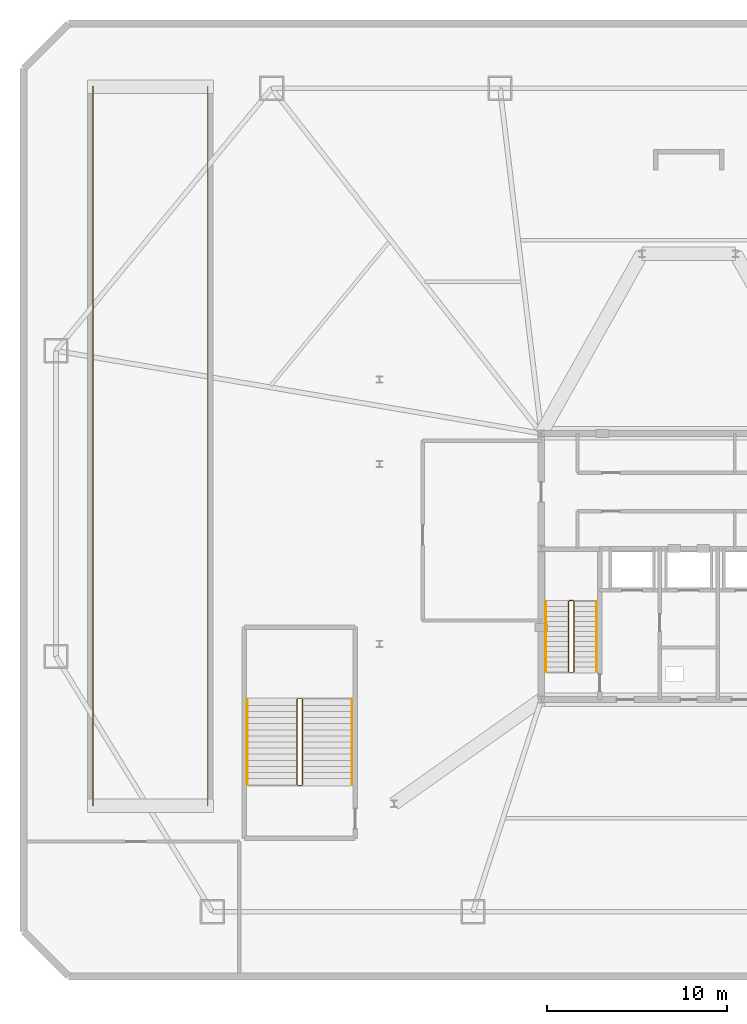
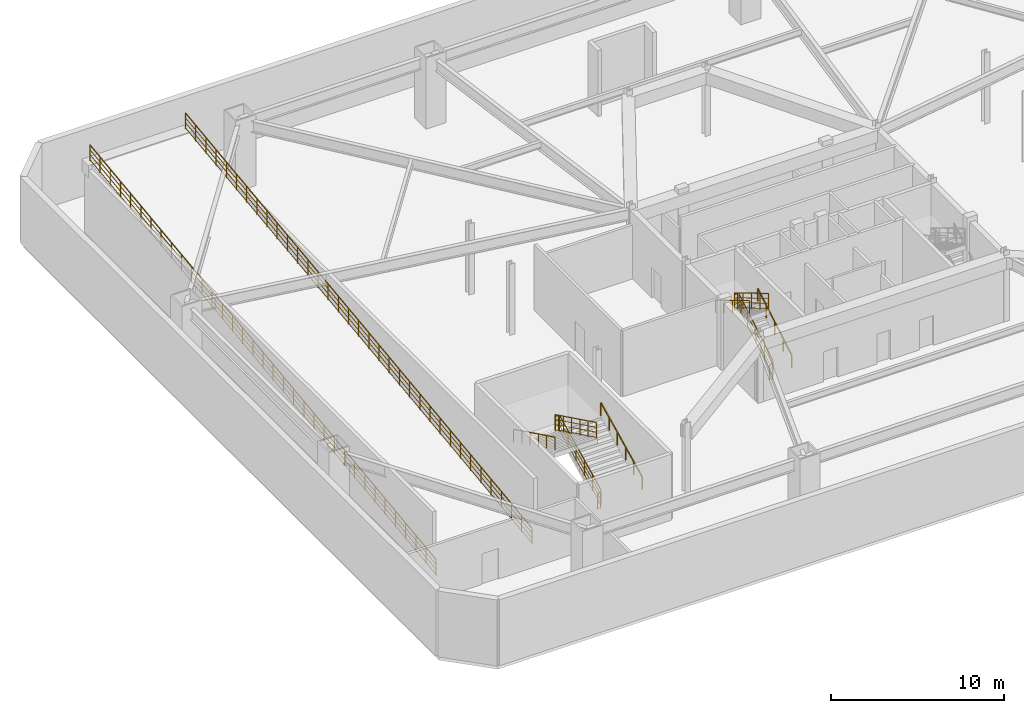
# One storey, part 8 of 9: 14 railings.
"""IFC4 building model written with IfcOpenShell, lengths in metres."""

from ifc_helpers import new_model, si_unit, direction, frame, origin, origin_2d, place, context, subcontext, project, spatial, rectangle, extrude, material, type_object, element, save


model = new_model("IFC4")

# Units and contexts
model_context = context("Model", 3, precision=1e-05, world=origin(), true_north=direction((0.0, 1.0)))
body_context = subcontext(model_context, "Body", "Model", "MODEL_VIEW")
ifc_project = project(units=[si_unit("LENGTHUNIT", "METRE"), si_unit("AREAUNIT", "SQUARE_METRE"), si_unit("VOLUMEUNIT", "CUBIC_METRE"), si_unit("PLANEANGLEUNIT", "RADIAN"), si_unit("MASSUNIT", "GRAM", prefix="KILO")], contexts=[model_context])

# Site, building, storey
site_placement = place(None, origin())
site = spatial("IfcSite", under=ifc_project, at=site_placement, CompositionType="ELEMENT")
building_placement = place(site_placement, origin())
building = spatial("IfcBuilding", under=site, at=building_placement, Name="Varakhsha Concourse Tower", CompositionType="ELEMENT")
storey_placement = place(building_placement, frame((0.0, 0.0, -5.0)))
storey = spatial("IfcBuildingStorey", under=building, at=storey_placement, Name="B01", CompositionType="ELEMENT", Elevation=-5.0)

# Railings
ifc_material = material(Name="Brushed Austenitic Stainless Steel AISI 316", Category="steel")
railing_type_1 = type_object("IfcRailingType", Name="RL-INT-GUARD-1120", PredefinedType="GUARDRAIL", material=ifc_material)
railing_1_placement = place(storey_placement, frame((6.860107421875, 10.5, 0.0)))
element("IfcRailing", 1, at=railing_1_placement, inside=storey, type_object=railing_type_1, Name="B01 Vehicle Ramp Curb Guard W", PredefinedType="GUARDRAIL", context=body_context, shape_type="SweptSolid", body=[
    extrude(rectangle(XDim=0.048095703125, YDim=0.048095703125, at=origin_2d()), frame((0.0, 0.0, 1.1259765625), z_axis=(0.0, 0.992277876714, 0.124034734589), x_axis=(-1.0, 0.0, 0.0)), (0.0, 0.0, 1.0), 40.311279296875),
    extrude(rectangle(XDim=0.028076171875, YDim=0.028076171875, at=origin_2d()), frame((0.0, 0.0, 0.080078125), z_axis=(0.0, 0.992277876714, 0.124034734589), x_axis=(-1.0, 0.0, 0.0)), (0.0, 0.0, 1.0), 40.311279296875),
    extrude(rectangle(XDim=0.028076171875, YDim=0.028076171875, at=origin_2d()), frame((0.0, 0.0, 0.43701171875), z_axis=(0.0, 0.992277876714, 0.124034734589), x_axis=(-1.0, 0.0, 0.0)), (0.0, 0.0, 1.0), 40.311279296875),
    extrude(rectangle(XDim=0.028076171875, YDim=0.028076171875, at=origin_2d()), frame((0.0, 0.0, 0.781982421875), z_axis=(0.0, 0.992277876714, 0.124034734589), x_axis=(-1.0, 0.0, 0.0)), (0.0, 0.0, 1.0), 40.311279296875),
    extrude(rectangle(XDim=0.0419921875, YDim=0.0419921875, at=origin_2d()), origin(), (0.0, 0.0, 1.0), 1.101806640625),
    extrude(rectangle(XDim=0.0419921875, YDim=0.0419921875, at=origin_2d()), frame((0.0, 1.176513671875, 0.14697265625)), (0.0, 0.0, 1.0), 1.101806640625),
    extrude(rectangle(XDim=0.0419921875, YDim=0.0419921875, at=origin_2d()), frame((0.0, 2.35302734375, 0.294189453125)), (0.0, 0.0, 1.0), 1.101806640625),
    extrude(rectangle(XDim=0.0419921875, YDim=0.0419921875, at=origin_2d()), frame((0.0, 3.529296875, 0.441162109375)), (0.0, 0.0, 1.0), 1.101806640625),
    extrude(rectangle(XDim=0.0419921875, YDim=0.0419921875, at=origin_2d()), frame((0.0, 4.705810546875, 0.588134765625)), (0.0, 0.0, 1.0), 1.101806640625),
    extrude(rectangle(XDim=0.0419921875, YDim=0.0419921875, at=origin_2d()), frame((0.0, 5.88232421875, 0.7353515625)), (0.0, 0.0, 1.0), 1.101806640625),
    extrude(rectangle(XDim=0.0419921875, YDim=0.0419921875, at=origin_2d()), frame((0.0, 7.058837890625, 0.88232421875)), (0.0, 0.0, 1.0), 1.101806640625),
    extrude(rectangle(XDim=0.0419921875, YDim=0.0419921875, at=origin_2d()), frame((0.0, 8.2353515625, 1.029296875)), (0.0, 0.0, 1.0), 1.101806640625),
    extrude(rectangle(XDim=0.0419921875, YDim=0.0419921875, at=origin_2d()), frame((0.0, 9.411865234375, 1.176513671875)), (0.0, 0.0, 1.0), 1.101806640625),
    extrude(rectangle(XDim=0.0419921875, YDim=0.0419921875, at=origin_2d()), frame((0.0, 10.588134765625, 1.323486328125)), (0.0, 0.0, 1.0), 1.101806640625),
    extrude(rectangle(XDim=0.0419921875, YDim=0.0419921875, at=origin_2d()), frame((0.0, 11.7646484375, 1.470703125)), (0.0, 0.0, 1.0), 1.101806640625),
    extrude(rectangle(XDim=0.0419921875, YDim=0.0419921875, at=origin_2d()), frame((0.0, 12.941162109375, 1.61767578125)), (0.0, 0.0, 1.0), 1.101806640625),
    extrude(rectangle(XDim=0.0419921875, YDim=0.0419921875, at=origin_2d()), frame((0.0, 14.11767578125, 1.7646484375)), (0.0, 0.0, 1.0), 1.101806640625),
    extrude(rectangle(XDim=0.0419921875, YDim=0.0419921875, at=origin_2d()), frame((0.0, 15.294189453125, 1.911865234375)), (0.0, 0.0, 1.0), 1.101806640625),
    extrude(rectangle(XDim=0.0419921875, YDim=0.0419921875, at=origin_2d()), frame((0.0, 16.470703125, 2.058837890625)), (0.0, 0.0, 1.0), 1.101806640625),
    extrude(rectangle(XDim=0.0419921875, YDim=0.0419921875, at=origin_2d()), frame((0.0, 17.64697265625, 2.205810546875)), (0.0, 0.0, 1.0), 1.101806640625),
    extrude(rectangle(XDim=0.0419921875, YDim=0.0419921875, at=origin_2d()), frame((0.0, 18.823486328125, 2.35302734375)), (0.0, 0.0, 1.0), 1.101806640625),
    extrude(rectangle(XDim=0.0419921875, YDim=0.0419921875, at=origin_2d()), frame((0.0, 20.0, 2.5)), (0.0, 0.0, 1.0), 1.101806640625),
    extrude(rectangle(XDim=0.0419921875, YDim=0.0419921875, at=origin_2d()), frame((0.0, 21.176513671875, 2.64697265625)), (0.0, 0.0, 1.0), 1.101806640625),
    extrude(rectangle(XDim=0.0419921875, YDim=0.0419921875, at=origin_2d()), frame((0.0, 22.35302734375, 2.794189453125)), (0.0, 0.0, 1.0), 1.101806640625),
    extrude(rectangle(XDim=0.0419921875, YDim=0.0419921875, at=origin_2d()), frame((0.0, 23.529296875, 2.941162109375)), (0.0, 0.0, 1.0), 1.101806640625),
    extrude(rectangle(XDim=0.0419921875, YDim=0.0419921875, at=origin_2d()), frame((0.0, 24.705810546875, 3.088134765625)), (0.0, 0.0, 1.0), 1.101806640625),
    extrude(rectangle(XDim=0.0419921875, YDim=0.0419921875, at=origin_2d()), frame((0.0, 25.88232421875, 3.2353515625)), (0.0, 0.0, 1.0), 1.101806640625),
    extrude(rectangle(XDim=0.0419921875, YDim=0.0419921875, at=origin_2d()), frame((0.0, 27.058837890625, 3.38232421875)), (0.0, 0.0, 1.0), 1.101806640625),
    extrude(rectangle(XDim=0.0419921875, YDim=0.0419921875, at=origin_2d()), frame((0.0, 28.2353515625, 3.529296875)), (0.0, 0.0, 1.0), 1.101806640625),
    extrude(rectangle(XDim=0.0419921875, YDim=0.0419921875, at=origin_2d()), frame((0.0, 29.411865234375, 3.676513671875)), (0.0, 0.0, 1.0), 1.101806640625),
    extrude(rectangle(XDim=0.0419921875, YDim=0.0419921875, at=origin_2d()), frame((0.0, 30.588134765625, 3.823486328125)), (0.0, 0.0, 1.0), 1.101806640625),
    extrude(rectangle(XDim=0.0419921875, YDim=0.0419921875, at=origin_2d()), frame((0.0, 31.7646484375, 3.970703125)), (0.0, 0.0, 1.0), 1.101806640625),
    extrude(rectangle(XDim=0.0419921875, YDim=0.0419921875, at=origin_2d()), frame((0.0, 32.941162109375, 4.11767578125)), (0.0, 0.0, 1.0), 1.101806640625),
    extrude(rectangle(XDim=0.0419921875, YDim=0.0419921875, at=origin_2d()), frame((0.0, 34.11767578125, 4.2646484375)), (0.0, 0.0, 1.0), 1.101806640625),
    extrude(rectangle(XDim=0.0419921875, YDim=0.0419921875, at=origin_2d()), frame((0.0, 35.294189453125, 4.411865234375)), (0.0, 0.0, 1.0), 1.101806640625),
    extrude(rectangle(XDim=0.0419921875, YDim=0.0419921875, at=origin_2d()), frame((0.0, 36.470703125, 4.558837890625)), (0.0, 0.0, 1.0), 1.101806640625),
    extrude(rectangle(XDim=0.0419921875, YDim=0.0419921875, at=origin_2d()), frame((0.0, 37.64697265625, 4.705810546875)), (0.0, 0.0, 1.0), 1.101806640625),
    extrude(rectangle(XDim=0.0419921875, YDim=0.0419921875, at=origin_2d()), frame((0.0, 38.823486328125, 4.85302734375)), (0.0, 0.0, 1.0), 1.101806640625),
    extrude(rectangle(XDim=0.0419921875, YDim=0.0419921875, at=origin_2d()), frame((0.0, 40.0, 5.0)), (0.0, 0.0, 1.0), 1.101806640625),
])
railing_2_placement = place(storey_placement, frame((13.239990234375, 10.5, 0.0)))
element("IfcRailing", 2, at=railing_2_placement, inside=storey, type_object=railing_type_1, Name="B01 Vehicle Ramp Curb Guard E", PredefinedType="GUARDRAIL", context=body_context, shape_type="SweptSolid", body=[
    extrude(rectangle(XDim=0.048095703125, YDim=0.048095703125, at=origin_2d()), frame((0.0, 0.0, 1.1259765625), z_axis=(0.0, 0.992277876714, 0.124034734589), x_axis=(-1.0, 0.0, 0.0)), (0.0, 0.0, 1.0), 40.311279296875),
    extrude(rectangle(XDim=0.028076171875, YDim=0.028076171875, at=origin_2d()), frame((0.0, 0.0, 0.080078125), z_axis=(0.0, 0.992277876714, 0.124034734589), x_axis=(-1.0, 0.0, 0.0)), (0.0, 0.0, 1.0), 40.311279296875),
    extrude(rectangle(XDim=0.028076171875, YDim=0.028076171875, at=origin_2d()), frame((0.0, 0.0, 0.43701171875), z_axis=(0.0, 0.992277876714, 0.124034734589), x_axis=(-1.0, 0.0, 0.0)), (0.0, 0.0, 1.0), 40.311279296875),
    extrude(rectangle(XDim=0.028076171875, YDim=0.028076171875, at=origin_2d()), frame((0.0, 0.0, 0.781982421875), z_axis=(0.0, 0.992277876714, 0.124034734589), x_axis=(-1.0, 0.0, 0.0)), (0.0, 0.0, 1.0), 40.311279296875),
    extrude(rectangle(XDim=0.0419921875, YDim=0.0419921875, at=origin_2d()), origin(), (0.0, 0.0, 1.0), 1.101806640625),
    extrude(rectangle(XDim=0.0419921875, YDim=0.0419921875, at=origin_2d()), frame((0.0, 1.176513671875, 0.14697265625)), (0.0, 0.0, 1.0), 1.101806640625),
    extrude(rectangle(XDim=0.0419921875, YDim=0.0419921875, at=origin_2d()), frame((0.0, 2.35302734375, 0.294189453125)), (0.0, 0.0, 1.0), 1.101806640625),
    extrude(rectangle(XDim=0.0419921875, YDim=0.0419921875, at=origin_2d()), frame((0.0, 3.529296875, 0.441162109375)), (0.0, 0.0, 1.0), 1.101806640625),
    extrude(rectangle(XDim=0.0419921875, YDim=0.0419921875, at=origin_2d()), frame((0.0, 4.705810546875, 0.588134765625)), (0.0, 0.0, 1.0), 1.101806640625),
    extrude(rectangle(XDim=0.0419921875, YDim=0.0419921875, at=origin_2d()), frame((0.0, 5.88232421875, 0.7353515625)), (0.0, 0.0, 1.0), 1.101806640625),
    extrude(rectangle(XDim=0.0419921875, YDim=0.0419921875, at=origin_2d()), frame((0.0, 7.058837890625, 0.88232421875)), (0.0, 0.0, 1.0), 1.101806640625),
    extrude(rectangle(XDim=0.0419921875, YDim=0.0419921875, at=origin_2d()), frame((0.0, 8.2353515625, 1.029296875)), (0.0, 0.0, 1.0), 1.101806640625),
    extrude(rectangle(XDim=0.0419921875, YDim=0.0419921875, at=origin_2d()), frame((0.0, 9.411865234375, 1.176513671875)), (0.0, 0.0, 1.0), 1.101806640625),
    extrude(rectangle(XDim=0.0419921875, YDim=0.0419921875, at=origin_2d()), frame((0.0, 10.588134765625, 1.323486328125)), (0.0, 0.0, 1.0), 1.101806640625),
    extrude(rectangle(XDim=0.0419921875, YDim=0.0419921875, at=origin_2d()), frame((0.0, 11.7646484375, 1.470703125)), (0.0, 0.0, 1.0), 1.101806640625),
    extrude(rectangle(XDim=0.0419921875, YDim=0.0419921875, at=origin_2d()), frame((0.0, 12.941162109375, 1.61767578125)), (0.0, 0.0, 1.0), 1.101806640625),
    extrude(rectangle(XDim=0.0419921875, YDim=0.0419921875, at=origin_2d()), frame((0.0, 14.11767578125, 1.7646484375)), (0.0, 0.0, 1.0), 1.101806640625),
    extrude(rectangle(XDim=0.0419921875, YDim=0.0419921875, at=origin_2d()), frame((0.0, 15.294189453125, 1.911865234375)), (0.0, 0.0, 1.0), 1.101806640625),
    extrude(rectangle(XDim=0.0419921875, YDim=0.0419921875, at=origin_2d()), frame((0.0, 16.470703125, 2.058837890625)), (0.0, 0.0, 1.0), 1.101806640625),
    extrude(rectangle(XDim=0.0419921875, YDim=0.0419921875, at=origin_2d()), frame((0.0, 17.64697265625, 2.205810546875)), (0.0, 0.0, 1.0), 1.101806640625),
    extrude(rectangle(XDim=0.0419921875, YDim=0.0419921875, at=origin_2d()), frame((0.0, 18.823486328125, 2.35302734375)), (0.0, 0.0, 1.0), 1.101806640625),
    extrude(rectangle(XDim=0.0419921875, YDim=0.0419921875, at=origin_2d()), frame((0.0, 20.0, 2.5)), (0.0, 0.0, 1.0), 1.101806640625),
    extrude(rectangle(XDim=0.0419921875, YDim=0.0419921875, at=origin_2d()), frame((0.0, 21.176513671875, 2.64697265625)), (0.0, 0.0, 1.0), 1.101806640625),
    extrude(rectangle(XDim=0.0419921875, YDim=0.0419921875, at=origin_2d()), frame((0.0, 22.35302734375, 2.794189453125)), (0.0, 0.0, 1.0), 1.101806640625),
    extrude(rectangle(XDim=0.0419921875, YDim=0.0419921875, at=origin_2d()), frame((0.0, 23.529296875, 2.941162109375)), (0.0, 0.0, 1.0), 1.101806640625),
    extrude(rectangle(XDim=0.0419921875, YDim=0.0419921875, at=origin_2d()), frame((0.0, 24.705810546875, 3.088134765625)), (0.0, 0.0, 1.0), 1.101806640625),
    extrude(rectangle(XDim=0.0419921875, YDim=0.0419921875, at=origin_2d()), frame((0.0, 25.88232421875, 3.2353515625)), (0.0, 0.0, 1.0), 1.101806640625),
    extrude(rectangle(XDim=0.0419921875, YDim=0.0419921875, at=origin_2d()), frame((0.0, 27.058837890625, 3.38232421875)), (0.0, 0.0, 1.0), 1.101806640625),
    extrude(rectangle(XDim=0.0419921875, YDim=0.0419921875, at=origin_2d()), frame((0.0, 28.2353515625, 3.529296875)), (0.0, 0.0, 1.0), 1.101806640625),
    extrude(rectangle(XDim=0.0419921875, YDim=0.0419921875, at=origin_2d()), frame((0.0, 29.411865234375, 3.676513671875)), (0.0, 0.0, 1.0), 1.101806640625),
    extrude(rectangle(XDim=0.0419921875, YDim=0.0419921875, at=origin_2d()), frame((0.0, 30.588134765625, 3.823486328125)), (0.0, 0.0, 1.0), 1.101806640625),
    extrude(rectangle(XDim=0.0419921875, YDim=0.0419921875, at=origin_2d()), frame((0.0, 31.7646484375, 3.970703125)), (0.0, 0.0, 1.0), 1.101806640625),
    extrude(rectangle(XDim=0.0419921875, YDim=0.0419921875, at=origin_2d()), frame((0.0, 32.941162109375, 4.11767578125)), (0.0, 0.0, 1.0), 1.101806640625),
    extrude(rectangle(XDim=0.0419921875, YDim=0.0419921875, at=origin_2d()), frame((0.0, 34.11767578125, 4.2646484375)), (0.0, 0.0, 1.0), 1.101806640625),
    extrude(rectangle(XDim=0.0419921875, YDim=0.0419921875, at=origin_2d()), frame((0.0, 35.294189453125, 4.411865234375)), (0.0, 0.0, 1.0), 1.101806640625),
    extrude(rectangle(XDim=0.0419921875, YDim=0.0419921875, at=origin_2d()), frame((0.0, 36.470703125, 4.558837890625)), (0.0, 0.0, 1.0), 1.101806640625),
    extrude(rectangle(XDim=0.0419921875, YDim=0.0419921875, at=origin_2d()), frame((0.0, 37.64697265625, 4.705810546875)), (0.0, 0.0, 1.0), 1.101806640625),
    extrude(rectangle(XDim=0.0419921875, YDim=0.0419921875, at=origin_2d()), frame((0.0, 38.823486328125, 4.85302734375)), (0.0, 0.0, 1.0), 1.101806640625),
    extrude(rectangle(XDim=0.0419921875, YDim=0.0419921875, at=origin_2d()), frame((0.0, 40.0, 5.0)), (0.0, 0.0, 1.0), 1.101806640625),
])
railing_type_2 = type_object("IfcRailingType", Name="RL-STAIR-GUARD-1100", PredefinedType="GUARDRAIL", material=ifc_material)
railing_3_placement = place(storey_placement, frame((33.610107421875, 17.93994140625, 0.166748046875)))
element("IfcRailing", 3, at=railing_3_placement, inside=storey, type_object=railing_type_2, Name="B01 ST1 stair guard 1", PredefinedType="GUARDRAIL", context=body_context, shape_type="SweptSolid", body=[
    extrude(rectangle(XDim=0.048095703125, YDim=0.048095703125, at=origin_2d()), frame((0.0, 0.0, 1.1259765625), z_axis=(0.0, 0.859310244771, 0.511454693235), x_axis=(-1.0, 0.0, 0.0)), (0.0, 0.0, 1.0), 4.56201171875),
    extrude(rectangle(XDim=0.028076171875, YDim=0.028076171875, at=origin_2d()), frame((0.0, 0.0, 0.080078125), z_axis=(0.0, 0.859310244771, 0.511454693235), x_axis=(-1.0, 0.0, 0.0)), (0.0, 0.0, 1.0), 4.56201171875),
    extrude(rectangle(XDim=0.028076171875, YDim=0.028076171875, at=origin_2d()), frame((0.0, 0.0, 0.43701171875), z_axis=(0.0, 0.859310244771, 0.511454693235), x_axis=(-1.0, 0.0, 0.0)), (0.0, 0.0, 1.0), 4.56201171875),
    extrude(rectangle(XDim=0.028076171875, YDim=0.028076171875, at=origin_2d()), frame((0.0, 0.0, 0.781982421875), z_axis=(0.0, 0.859310244771, 0.511454693235), x_axis=(-1.0, 0.0, 0.0)), (0.0, 0.0, 1.0), 4.56201171875),
    extrude(rectangle(XDim=0.0419921875, YDim=0.0419921875, at=origin_2d()), origin(), (0.0, 0.0, 1.0), 1.101806640625),
    extrude(rectangle(XDim=0.0419921875, YDim=0.0419921875, at=origin_2d()), frame((0.0, 0.97998046875, 0.583251953125)), (0.0, 0.0, 1.0), 1.101806640625),
    extrude(rectangle(XDim=0.0419921875, YDim=0.0419921875, at=origin_2d()), frame((0.0, 1.9599609375, 1.16650390625)), (0.0, 0.0, 1.0), 1.101806640625),
    extrude(rectangle(XDim=0.0419921875, YDim=0.0419921875, at=origin_2d()), frame((0.0, 2.940185546875, 1.75)), (0.0, 0.0, 1.0), 1.101806640625),
    extrude(rectangle(XDim=0.0419921875, YDim=0.0419921875, at=origin_2d()), frame((0.0, 3.920166015625, 2.333251953125)), (0.0, 0.0, 1.0), 1.101806640625),
])
railing_4_placement = place(storey_placement, frame((33.56005859375, 21.909912109375, 2.5)))
element("IfcRailing", 4, at=railing_4_placement, inside=storey, type_object=railing_type_2, Name="B01 ST1 stair guard 2", PredefinedType="GUARDRAIL", context=body_context, shape_type="SweptSolid", body=[
    extrude(rectangle(XDim=0.048095703125, YDim=0.048095703125, at=origin_2d()), frame((0.0, 0.0, 1.1259765625), z_axis=(-1.0, 0.0, 0.0), x_axis=(0.0, -1.0, 0.0)), (0.0, 0.0, 1.0), 0.199951171875),
    extrude(rectangle(XDim=0.028076171875, YDim=0.028076171875, at=origin_2d()), frame((0.0, 0.0, 0.080078125), z_axis=(-1.0, 0.0, 0.0), x_axis=(0.0, -1.0, 0.0)), (0.0, 0.0, 1.0), 0.199951171875),
    extrude(rectangle(XDim=0.028076171875, YDim=0.028076171875, at=origin_2d()), frame((0.0, 0.0, 0.43701171875), z_axis=(-1.0, 0.0, 0.0), x_axis=(0.0, -1.0, 0.0)), (0.0, 0.0, 1.0), 0.199951171875),
    extrude(rectangle(XDim=0.028076171875, YDim=0.028076171875, at=origin_2d()), frame((0.0, 0.0, 0.781982421875), z_axis=(-1.0, 0.0, 0.0), x_axis=(0.0, -1.0, 0.0)), (0.0, 0.0, 1.0), 0.199951171875),
    extrude(rectangle(XDim=0.0419921875, YDim=0.0419921875, at=origin_2d()), origin(), (0.0, 0.0, 1.0), 1.101806640625),
    extrude(rectangle(XDim=0.0419921875, YDim=0.0419921875, at=origin_2d()), frame((-0.199951171875, 0.0, 0.0)), (0.0, 0.0, 1.0), 1.101806640625),
])
railing_5_placement = place(storey_placement, frame((33.31005859375, 21.860107421875, 2.666748046875)))
element("IfcRailing", 5, at=railing_5_placement, inside=storey, type_object=railing_type_2, Name="B01 ST1 stair guard 3", PredefinedType="GUARDRAIL", context=body_context, shape_type="SweptSolid", body=[
    extrude(rectangle(XDim=0.048095703125, YDim=0.048095703125, at=origin_2d()), frame((0.0, 0.0, 1.1259765625), z_axis=(0.0, -0.859310244771, 0.511454693235), x_axis=(1.0, 0.0, 0.0)), (0.0, 0.0, 1.0), 4.56201171875),
    extrude(rectangle(XDim=0.028076171875, YDim=0.028076171875, at=origin_2d()), frame((0.0, 0.0, 0.080078125), z_axis=(0.0, -0.859310244771, 0.511454693235), x_axis=(1.0, 0.0, 0.0)), (0.0, 0.0, 1.0), 4.56201171875),
    extrude(rectangle(XDim=0.028076171875, YDim=0.028076171875, at=origin_2d()), frame((0.0, 0.0, 0.43701171875), z_axis=(0.0, -0.859310244771, 0.511454693235), x_axis=(1.0, 0.0, 0.0)), (0.0, 0.0, 1.0), 4.56201171875),
    extrude(rectangle(XDim=0.028076171875, YDim=0.028076171875, at=origin_2d()), frame((0.0, 0.0, 0.781982421875), z_axis=(0.0, -0.859310244771, 0.511454693235), x_axis=(1.0, 0.0, 0.0)), (0.0, 0.0, 1.0), 4.56201171875),
    extrude(rectangle(XDim=0.0419921875, YDim=0.0419921875, at=origin_2d()), origin(), (0.0, 0.0, 1.0), 1.101806640625),
    extrude(rectangle(XDim=0.0419921875, YDim=0.0419921875, at=origin_2d()), frame((0.0, -0.97998046875, 0.583251953125)), (0.0, 0.0, 1.0), 1.101806640625),
    extrude(rectangle(XDim=0.0419921875, YDim=0.0419921875, at=origin_2d()), frame((0.0, -1.9599609375, 1.16650390625)), (0.0, 0.0, 1.0), 1.101806640625),
    extrude(rectangle(XDim=0.0419921875, YDim=0.0419921875, at=origin_2d()), frame((0.0, -2.940185546875, 1.75)), (0.0, 0.0, 1.0), 1.101806640625),
    extrude(rectangle(XDim=0.0419921875, YDim=0.0419921875, at=origin_2d()), frame((0.0, -3.920166015625, 2.333251953125)), (0.0, 0.0, 1.0), 1.101806640625),
])
railing_6_placement = place(storey_placement, frame((33.56005859375, 17.889892578125, 0.0)))
element("IfcRailing", 6, at=railing_6_placement, inside=storey, type_object=railing_type_2, Name="B01 ST1 stair guard 4", PredefinedType="GUARDRAIL", context=body_context, shape_type="SweptSolid", body=[
    extrude(rectangle(XDim=0.048095703125, YDim=0.048095703125, at=origin_2d()), frame((0.0, 0.0, 1.1259765625), z_axis=(-1.0, 0.0, 0.0), x_axis=(0.0, -1.0, 0.0)), (0.0, 0.0, 1.0), 0.199951171875),
    extrude(rectangle(XDim=0.028076171875, YDim=0.028076171875, at=origin_2d()), frame((0.0, 0.0, 0.080078125), z_axis=(-1.0, 0.0, 0.0), x_axis=(0.0, -1.0, 0.0)), (0.0, 0.0, 1.0), 0.199951171875),
    extrude(rectangle(XDim=0.028076171875, YDim=0.028076171875, at=origin_2d()), frame((0.0, 0.0, 0.43701171875), z_axis=(-1.0, 0.0, 0.0), x_axis=(0.0, -1.0, 0.0)), (0.0, 0.0, 1.0), 0.199951171875),
    extrude(rectangle(XDim=0.028076171875, YDim=0.028076171875, at=origin_2d()), frame((0.0, 0.0, 0.781982421875), z_axis=(-1.0, 0.0, 0.0), x_axis=(0.0, -1.0, 0.0)), (0.0, 0.0, 1.0), 0.199951171875),
    extrude(rectangle(XDim=0.0419921875, YDim=0.0419921875, at=origin_2d()), origin(), (0.0, 0.0, 1.0), 1.101806640625),
    extrude(rectangle(XDim=0.0419921875, YDim=0.0419921875, at=origin_2d()), frame((-0.199951171875, 0.0, 0.0)), (0.0, 0.0, 1.0), 1.101806640625),
])
railing_7_placement = place(storey_placement, frame((18.510009765625, 11.659912109375, 0.166748046875)))
element("IfcRailing", 7, at=railing_7_placement, inside=storey, type_object=railing_type_2, Name="B01 ST3 stair guard 1", PredefinedType="GUARDRAIL", context=body_context, shape_type="SweptSolid", body=[
    extrude(rectangle(XDim=0.048095703125, YDim=0.048095703125, at=origin_2d()), frame((0.0, 0.0, 1.1259765625), z_axis=(0.0, 0.897927146867, 0.440144111535), x_axis=(-1.0, 0.0, 0.0)), (0.0, 0.0, 1.0), 5.301025390625),
    extrude(rectangle(XDim=0.028076171875, YDim=0.028076171875, at=origin_2d()), frame((0.0, 0.0, 0.080078125), z_axis=(0.0, 0.897927146867, 0.440144111535), x_axis=(-1.0, 0.0, 0.0)), (0.0, 0.0, 1.0), 5.301025390625),
    extrude(rectangle(XDim=0.028076171875, YDim=0.028076171875, at=origin_2d()), frame((0.0, 0.0, 0.43701171875), z_axis=(0.0, 0.897927146867, 0.440144111535), x_axis=(-1.0, 0.0, 0.0)), (0.0, 0.0, 1.0), 5.301025390625),
    extrude(rectangle(XDim=0.028076171875, YDim=0.028076171875, at=origin_2d()), frame((0.0, 0.0, 0.781982421875), z_axis=(0.0, 0.897927146867, 0.440144111535), x_axis=(-1.0, 0.0, 0.0)), (0.0, 0.0, 1.0), 5.301025390625),
    extrude(rectangle(XDim=0.0419921875, YDim=0.0419921875, at=origin_2d()), origin(), (0.0, 0.0, 1.0), 1.101806640625),
    extrude(rectangle(XDim=0.0419921875, YDim=0.0419921875, at=origin_2d()), frame((0.0, 0.951904296875, 0.466552734375)), (0.0, 0.0, 1.0), 1.101806640625),
    extrude(rectangle(XDim=0.0419921875, YDim=0.0419921875, at=origin_2d()), frame((0.0, 1.904052734375, 0.933349609375)), (0.0, 0.0, 1.0), 1.101806640625),
    extrude(rectangle(XDim=0.0419921875, YDim=0.0419921875, at=origin_2d()), frame((0.0, 2.85595703125, 1.39990234375)), (0.0, 0.0, 1.0), 1.101806640625),
    extrude(rectangle(XDim=0.0419921875, YDim=0.0419921875, at=origin_2d()), frame((0.0, 3.80810546875, 1.86669921875)), (0.0, 0.0, 1.0), 1.101806640625),
    extrude(rectangle(XDim=0.0419921875, YDim=0.0419921875, at=origin_2d()), frame((0.0, 4.760009765625, 2.333251953125)), (0.0, 0.0, 1.0), 1.101806640625),
])
railing_8_placement = place(storey_placement, frame((18.4599609375, 16.469970703125, 2.5)))
element("IfcRailing", 8, at=railing_8_placement, inside=storey, type_object=railing_type_2, Name="B01 ST3 stair guard 2", PredefinedType="GUARDRAIL", context=body_context, shape_type="SweptSolid", body=[
    extrude(rectangle(XDim=0.048095703125, YDim=0.048095703125, at=origin_2d()), frame((0.0, 0.0, 1.1259765625), z_axis=(-1.0, 0.0, 0.0), x_axis=(0.0, -1.0, 0.0)), (0.0, 0.0, 1.0), 0.199951171875),
    extrude(rectangle(XDim=0.028076171875, YDim=0.028076171875, at=origin_2d()), frame((0.0, 0.0, 0.080078125), z_axis=(-1.0, 0.0, 0.0), x_axis=(0.0, -1.0, 0.0)), (0.0, 0.0, 1.0), 0.199951171875),
    extrude(rectangle(XDim=0.028076171875, YDim=0.028076171875, at=origin_2d()), frame((0.0, 0.0, 0.43701171875), z_axis=(-1.0, 0.0, 0.0), x_axis=(0.0, -1.0, 0.0)), (0.0, 0.0, 1.0), 0.199951171875),
    extrude(rectangle(XDim=0.028076171875, YDim=0.028076171875, at=origin_2d()), frame((0.0, 0.0, 0.781982421875), z_axis=(-1.0, 0.0, 0.0), x_axis=(0.0, -1.0, 0.0)), (0.0, 0.0, 1.0), 0.199951171875),
    extrude(rectangle(XDim=0.0419921875, YDim=0.0419921875, at=origin_2d()), origin(), (0.0, 0.0, 1.0), 1.101806640625),
    extrude(rectangle(XDim=0.0419921875, YDim=0.0419921875, at=origin_2d()), frame((-0.199951171875, 0.0, 0.0)), (0.0, 0.0, 1.0), 1.101806640625),
])
railing_9_placement = place(storey_placement, frame((18.2099609375, 16.419921875, 2.666748046875)))
element("IfcRailing", 9, at=railing_9_placement, inside=storey, type_object=railing_type_2, Name="B01 ST3 stair guard 3", PredefinedType="GUARDRAIL", context=body_context, shape_type="SweptSolid", body=[
    extrude(rectangle(XDim=0.048095703125, YDim=0.048095703125, at=origin_2d()), frame((0.0, 0.0, 1.1259765625), z_axis=(0.0, -0.897927146867, 0.440144111535), x_axis=(1.0, 0.0, 0.0)), (0.0, 0.0, 1.0), 5.301025390625),
    extrude(rectangle(XDim=0.028076171875, YDim=0.028076171875, at=origin_2d()), frame((0.0, 0.0, 0.080078125), z_axis=(0.0, -0.897927146867, 0.440144111535), x_axis=(1.0, 0.0, 0.0)), (0.0, 0.0, 1.0), 5.301025390625),
    extrude(rectangle(XDim=0.028076171875, YDim=0.028076171875, at=origin_2d()), frame((0.0, 0.0, 0.43701171875), z_axis=(0.0, -0.897927146867, 0.440144111535), x_axis=(1.0, 0.0, 0.0)), (0.0, 0.0, 1.0), 5.301025390625),
    extrude(rectangle(XDim=0.028076171875, YDim=0.028076171875, at=origin_2d()), frame((0.0, 0.0, 0.781982421875), z_axis=(0.0, -0.897927146867, 0.440144111535), x_axis=(1.0, 0.0, 0.0)), (0.0, 0.0, 1.0), 5.301025390625),
    extrude(rectangle(XDim=0.0419921875, YDim=0.0419921875, at=origin_2d()), origin(), (0.0, 0.0, 1.0), 1.101806640625),
    extrude(rectangle(XDim=0.0419921875, YDim=0.0419921875, at=origin_2d()), frame((0.0, -0.951904296875, 0.466552734375)), (0.0, 0.0, 1.0), 1.101806640625),
    extrude(rectangle(XDim=0.0419921875, YDim=0.0419921875, at=origin_2d()), frame((0.0, -1.904052734375, 0.933349609375)), (0.0, 0.0, 1.0), 1.101806640625),
    extrude(rectangle(XDim=0.0419921875, YDim=0.0419921875, at=origin_2d()), frame((0.0, -2.85595703125, 1.39990234375)), (0.0, 0.0, 1.0), 1.101806640625),
    extrude(rectangle(XDim=0.0419921875, YDim=0.0419921875, at=origin_2d()), frame((0.0, -3.80810546875, 1.86669921875)), (0.0, 0.0, 1.0), 1.101806640625),
    extrude(rectangle(XDim=0.0419921875, YDim=0.0419921875, at=origin_2d()), frame((0.0, -4.760009765625, 2.333251953125)), (0.0, 0.0, 1.0), 1.101806640625),
])
railing_10_placement = place(storey_placement, frame((18.4599609375, 11.610107421875, 0.0)))
element("IfcRailing", 10, at=railing_10_placement, inside=storey, type_object=railing_type_2, Name="B01 ST3 stair guard 4", PredefinedType="GUARDRAIL", context=body_context, shape_type="SweptSolid", body=[
    extrude(rectangle(XDim=0.048095703125, YDim=0.048095703125, at=origin_2d()), frame((0.0, 0.0, 1.1259765625), z_axis=(-1.0, 0.0, 0.0), x_axis=(0.0, -1.0, 0.0)), (0.0, 0.0, 1.0), 0.199951171875),
    extrude(rectangle(XDim=0.028076171875, YDim=0.028076171875, at=origin_2d()), frame((0.0, 0.0, 0.080078125), z_axis=(-1.0, 0.0, 0.0), x_axis=(0.0, -1.0, 0.0)), (0.0, 0.0, 1.0), 0.199951171875),
    extrude(rectangle(XDim=0.028076171875, YDim=0.028076171875, at=origin_2d()), frame((0.0, 0.0, 0.43701171875), z_axis=(-1.0, 0.0, 0.0), x_axis=(0.0, -1.0, 0.0)), (0.0, 0.0, 1.0), 0.199951171875),
    extrude(rectangle(XDim=0.028076171875, YDim=0.028076171875, at=origin_2d()), frame((0.0, 0.0, 0.781982421875), z_axis=(-1.0, 0.0, 0.0), x_axis=(0.0, -1.0, 0.0)), (0.0, 0.0, 1.0), 0.199951171875),
    extrude(rectangle(XDim=0.0419921875, YDim=0.0419921875, at=origin_2d()), origin(), (0.0, 0.0, 1.0), 1.101806640625),
    extrude(rectangle(XDim=0.0419921875, YDim=0.0419921875, at=origin_2d()), frame((-0.199951171875, 0.0, 0.0)), (0.0, 0.0, 1.0), 1.101806640625),
])
railing_type_3 = type_object("IfcRailingType", Name="RL-STAIR-RAIL-915", PredefinedType="HANDRAIL", material=ifc_material)
railing_11_placement = place(storey_placement, frame((34.8701171875, 17.93994140625, 0.333251953125)))
element("IfcRailing", 11, at=railing_11_placement, inside=storey, type_object=railing_type_3, Name="B01 ST1 stair handrail 1", PredefinedType="HANDRAIL", context=body_context, shape_type="SweptSolid", body=[
    extrude(rectangle(XDim=0.048095703125, YDim=0.048095703125, at=origin_2d()), frame((0.0, 0.0, 0.89111328125), z_axis=(0.0, 0.859286724212, 0.511494208758), x_axis=(-1.0, 0.0, 0.0)), (0.0, 0.0, 1.0), 4.56201171875),
    extrude(rectangle(XDim=0.0419921875, YDim=0.0419921875, at=origin_2d()), origin(), (0.0, 0.0, 1.0), 0.866943359375),
    extrude(rectangle(XDim=0.0419921875, YDim=0.0419921875, at=origin_2d()), frame((0.0, 0.97998046875, 0.58349609375)), (0.0, 0.0, 1.0), 0.866943359375),
    extrude(rectangle(XDim=0.0419921875, YDim=0.0419921875, at=origin_2d()), frame((0.0, 1.9599609375, 1.166748046875)), (0.0, 0.0, 1.0), 0.866943359375),
    extrude(rectangle(XDim=0.0419921875, YDim=0.0419921875, at=origin_2d()), frame((0.0, 2.940185546875, 1.75)), (0.0, 0.0, 1.0), 0.866943359375),
    extrude(rectangle(XDim=0.0419921875, YDim=0.0419921875, at=origin_2d()), frame((0.0, 3.920166015625, 2.33349609375)), (0.0, 0.0, 1.0), 0.866943359375),
])
railing_12_placement = place(storey_placement, frame((32.050048828125, 21.860107421875, 2.833251953125)))
element("IfcRailing", 12, at=railing_12_placement, inside=storey, type_object=railing_type_3, Name="B01 ST1 stair handrail 2", PredefinedType="HANDRAIL", context=body_context, shape_type="SweptSolid", body=[
    extrude(rectangle(XDim=0.048095703125, YDim=0.048095703125, at=origin_2d()), frame((0.0, 0.0, 0.89111328125), z_axis=(0.0, -0.859286724212, 0.511494208758), x_axis=(1.0, 0.0, 0.0)), (0.0, 0.0, 1.0), 4.56201171875),
    extrude(rectangle(XDim=0.0419921875, YDim=0.0419921875, at=origin_2d()), origin(), (0.0, 0.0, 1.0), 0.866943359375),
    extrude(rectangle(XDim=0.0419921875, YDim=0.0419921875, at=origin_2d()), frame((0.0, -0.97998046875, 0.58349609375)), (0.0, 0.0, 1.0), 0.866943359375),
    extrude(rectangle(XDim=0.0419921875, YDim=0.0419921875, at=origin_2d()), frame((0.0, -1.9599609375, 1.166748046875)), (0.0, 0.0, 1.0), 0.866943359375),
    extrude(rectangle(XDim=0.0419921875, YDim=0.0419921875, at=origin_2d()), frame((0.0, -2.940185546875, 1.75)), (0.0, 0.0, 1.0), 0.866943359375),
    extrude(rectangle(XDim=0.0419921875, YDim=0.0419921875, at=origin_2d()), frame((0.0, -3.920166015625, 2.33349609375)), (0.0, 0.0, 1.0), 0.866943359375),
])
railing_13_placement = place(storey_placement, frame((21.27001953125, 11.659912109375, 0.333251953125)))
element("IfcRailing", 13, at=railing_13_placement, inside=storey, type_object=railing_type_3, Name="B01 ST3 stair handrail 1", PredefinedType="HANDRAIL", context=body_context, shape_type="SweptSolid", body=[
    extrude(rectangle(XDim=0.048095703125, YDim=0.048095703125, at=origin_2d()), frame((0.0, 0.0, 0.89111328125), z_axis=(0.0, 0.897908944879, 0.44018124302), x_axis=(-1.0, 0.0, 0.0)), (0.0, 0.0, 1.0), 5.30126953125),
    extrude(rectangle(XDim=0.0419921875, YDim=0.0419921875, at=origin_2d()), origin(), (0.0, 0.0, 1.0), 0.866943359375),
    extrude(rectangle(XDim=0.0419921875, YDim=0.0419921875, at=origin_2d()), frame((0.0, 0.951904296875, 0.466796875)), (0.0, 0.0, 1.0), 0.866943359375),
    extrude(rectangle(XDim=0.0419921875, YDim=0.0419921875, at=origin_2d()), frame((0.0, 1.904052734375, 0.933349609375)), (0.0, 0.0, 1.0), 0.866943359375),
    extrude(rectangle(XDim=0.0419921875, YDim=0.0419921875, at=origin_2d()), frame((0.0, 2.85595703125, 1.400146484375)), (0.0, 0.0, 1.0), 0.866943359375),
    extrude(rectangle(XDim=0.0419921875, YDim=0.0419921875, at=origin_2d()), frame((0.0, 3.80810546875, 1.86669921875)), (0.0, 0.0, 1.0), 0.866943359375),
    extrude(rectangle(XDim=0.0419921875, YDim=0.0419921875, at=origin_2d()), frame((0.0, 4.760009765625, 2.33349609375)), (0.0, 0.0, 1.0), 0.866943359375),
])
railing_14_placement = place(storey_placement, frame((15.449951171875, 16.419921875, 2.833251953125)))
element("IfcRailing", 14, at=railing_14_placement, inside=storey, type_object=railing_type_3, Name="B01 ST3 stair handrail 2", PredefinedType="HANDRAIL", context=body_context, shape_type="SweptSolid", body=[
    extrude(rectangle(XDim=0.048095703125, YDim=0.048095703125, at=origin_2d()), frame((0.0, 0.0, 0.89111328125), z_axis=(0.0, -0.897908944879, 0.44018124302), x_axis=(1.0, 0.0, 0.0)), (0.0, 0.0, 1.0), 5.30126953125),
    extrude(rectangle(XDim=0.0419921875, YDim=0.0419921875, at=origin_2d()), origin(), (0.0, 0.0, 1.0), 0.866943359375),
    extrude(rectangle(XDim=0.0419921875, YDim=0.0419921875, at=origin_2d()), frame((0.0, -0.951904296875, 0.466796875)), (0.0, 0.0, 1.0), 0.866943359375),
    extrude(rectangle(XDim=0.0419921875, YDim=0.0419921875, at=origin_2d()), frame((0.0, -1.904052734375, 0.933349609375)), (0.0, 0.0, 1.0), 0.866943359375),
    extrude(rectangle(XDim=0.0419921875, YDim=0.0419921875, at=origin_2d()), frame((0.0, -2.85595703125, 1.400146484375)), (0.0, 0.0, 1.0), 0.866943359375),
    extrude(rectangle(XDim=0.0419921875, YDim=0.0419921875, at=origin_2d()), frame((0.0, -3.80810546875, 1.86669921875)), (0.0, 0.0, 1.0), 0.866943359375),
    extrude(rectangle(XDim=0.0419921875, YDim=0.0419921875, at=origin_2d()), frame((0.0, -4.760009765625, 2.33349609375)), (0.0, 0.0, 1.0), 0.866943359375),
])

save(model, "model.ifc")
